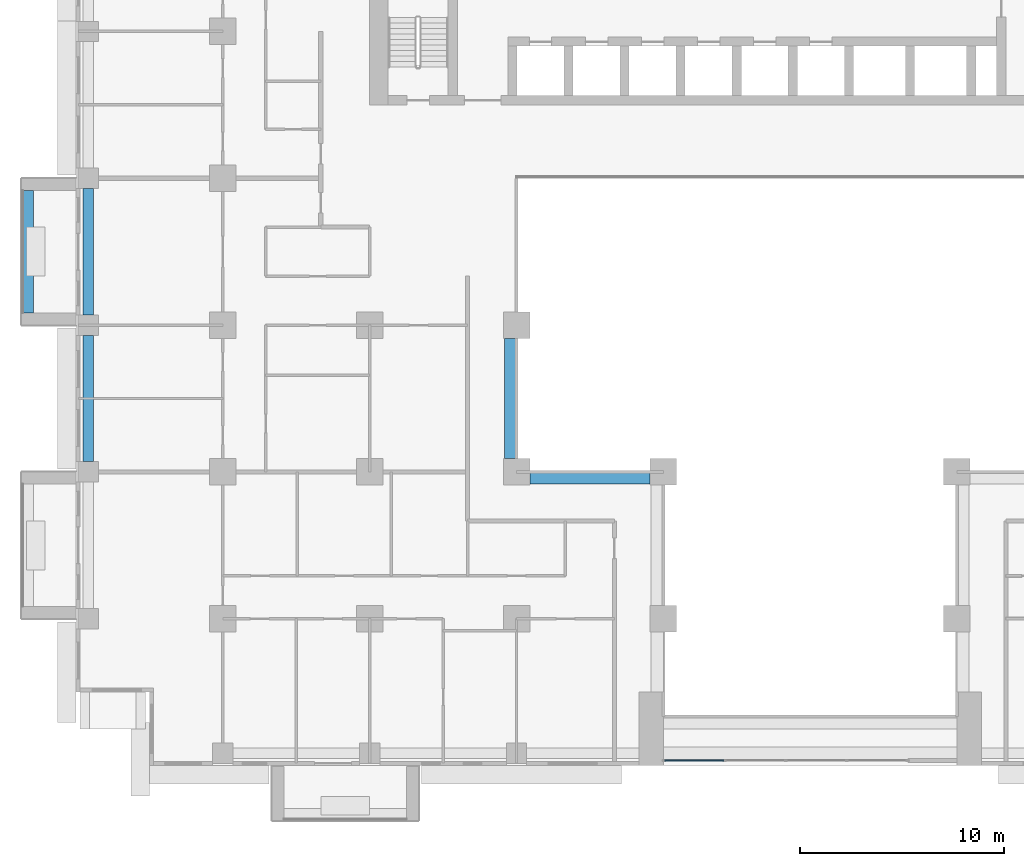
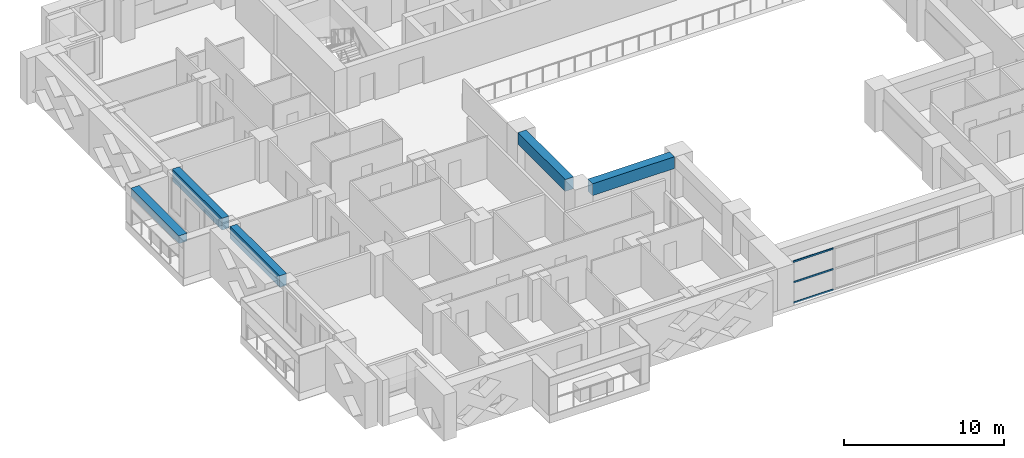
# One storey, part 3 of 16: 5 beams, 3 members, 1 element without a shape of its own.
"""IFC4 building model written with IfcOpenShell, lengths in metres."""

from ifc_helpers import new_model, si_unit, direction, frame, origin, origin_2d, place, context, subcontext, project, spatial, rectangle, extrude, source, transform, mapped, material, layer, layer_set, material_profile, profile_set, type_object, element, aggregate, save


model = new_model("IFC4")

# Units and contexts
model_context = context("Model", 3, precision=1e-05, world=origin(), true_north=direction((0.0, 1.0)))
body_context = subcontext(model_context, "Body", "Model", "MODEL_VIEW")
ifc_project = project(units=[si_unit("LENGTHUNIT", "METRE"), si_unit("AREAUNIT", "SQUARE_METRE"), si_unit("VOLUMEUNIT", "CUBIC_METRE"), si_unit("PLANEANGLEUNIT", "RADIAN"), si_unit("MASSUNIT", "GRAM", prefix="KILO")], contexts=[model_context])

# Site, building, storey
site_placement = place(None, origin())
site = spatial("IfcSite", under=ifc_project, at=site_placement, CompositionType="ELEMENT")
building_placement = place(site_placement, origin())
building = spatial("IfcBuilding", under=site, at=building_placement, Name="Saffron Iwan Residences", CompositionType="ELEMENT")
storey_placement = place(building_placement, frame((0.0, 0.0, 69.0)))
storey = spatial("IfcBuildingStorey", under=building, at=storey_placement, Name="L17", CompositionType="ELEMENT", Elevation=69.0)

# Beams
ifc_material_1 = material(Name="Concrete C60/75", Category="concrete")
ifc_material_profile_1 = material_profile(ifc_material_1, rectangle(XDim=0.5, YDim=0.89990234375, at=origin_2d()), Name="RC 500x900")
ifc_profile_set_1 = profile_set([ifc_material_profile_1], Name="Concrete C60/75")
beam_type_1 = type_object("IfcBeamType", Name="SPANDREL BEAM RC 500x900 C60/75 TOP 3180", PredefinedType="SPANDREL", material=ifc_profile_set_1)
shared_shape_1 = source(origin(), body_context, "Body", "SweptSolid", [
    extrude(rectangle(XDim=0.5, YDim=0.89990234375, at=origin_2d()), origin(), (0.0, 0.0, 1.0), 6.199951171875),
])
for number, where, z_axis, x_axis, name in (
    (1, (15.0, 48.5, 2.72998046875), (0.0, 1.0, 0.0), (-1.0, 0.0, 0.0), "Spandrel beam"),
    (2, (15.0, 55.699951171875, 2.72998046875), (0.0, 1.0, 0.0), (-1.0, 0.0, 0.0), "Spandrel beam"),
):
    element("IfcBeam", number, at=place(storey_placement, frame(where, z_axis=z_axis, x_axis=x_axis)), inside=storey, type_object=beam_type_1, Name=name, PredefinedType="SPANDREL", context=body_context, shape_type="MappedRepresentation", body=[
        mapped(shared_shape_1, transform((0.0, 0.0, 0.0))),
    ])
ifc_material_profile_2 = material_profile(ifc_material_1, rectangle(XDim=0.60009765625, YDim=0.89990234375, at=origin_2d()), Name="RC 600x900")
ifc_profile_set_2 = profile_set([ifc_material_profile_2], Name="Concrete C60/75")
beam_type_2 = type_object("IfcBeamType", Name="BEAM RC 600x900 C60/75 TOP 3180", PredefinedType="BEAM", material=ifc_profile_set_2)
shared_shape_2 = source(origin(), body_context, "Body", "SweptSolid", [
    extrude(rectangle(XDim=0.60009765625, YDim=0.89990234375, at=origin_2d()), origin(), (0.0, 0.0, 1.0), 5.900146484375),
])
for number, where, z_axis, x_axis, name in (
    (3, (42.550048828125, 47.699951171875, 2.72998046875), (-1.0, 0.0, 0.0), (0.0, -1.0, 0.0), "Atrium edge beam"),
    (4, (35.699951171875, 48.64990234375, 2.72998046875), (0.0, 1.0, 0.0), (-1.0, 0.0, 0.0), "Atrium edge beam"),
):
    element("IfcBeam", number, at=place(storey_placement, frame(where, z_axis=z_axis, x_axis=x_axis)), inside=storey, type_object=beam_type_2, Name=name, PredefinedType="BEAM", context=body_context, shape_type="MappedRepresentation", body=[
        mapped(shared_shape_2, transform((0.0, 0.0, 0.0))),
    ])

# Curtain wall, members
ifc_material_2 = material(Name="Clear glass, laminated double glazed", Category="glass")
ifc_layer = layer(ifc_material_2, 0.199951171875)
ifc_layer_set = layer_set([ifc_layer], Name="Clear glass, laminated double glazed")
curtain_wall_type = type_object("IfcCurtainWallType", Name="CW-B IWAN PORTAL", PredefinedType="NOTDEFINED", material=ifc_layer_set)
curtain_wall_placement = place(storey_placement, origin())
curtain_wall = element("IfcCurtainWall", 5, at=curtain_wall_placement, inside=storey, type_object=curtain_wall_type, Name="Iwan portal glazing L17.1", PredefinedType="NOTDEFINED")
ifc_material_3 = material(Name="Aluminium 6063-T6", Category="aluminium")
ifc_material_profile_3 = material_profile(ifc_material_3, rectangle(XDim=0.06005859375, YDim=0.1201171875, at=origin_2d()), Name="CW-B TRANSOM 60 x 120")
ifc_profile_set_3 = profile_set([ifc_material_profile_3], Name="Aluminium 6063-T6")
member_type = type_object("IfcMemberType", Name="CW-B TRANSOM 60 x 120", PredefinedType="USERDEFINED", material=ifc_profile_set_3)
shared_shape_3 = source(origin(), body_context, "Body", "SweptSolid", [
    extrude(rectangle(XDim=0.06005859375, YDim=0.1201171875, at=origin_2d()), origin(), (0.0, 0.0, 1.0), 2.909912109375),
])
member_1_placement = place(storey_placement, frame((43.260009765625, 33.85009765625, 0.030029296875), z_axis=(1.0, 0.0, 0.0), x_axis=(0.0, 1.0, 0.0)))
member_1 = element("IfcMember", 6, at=member_1_placement, type_object=member_type, Name="CW-B transom 1.1", ObjectType="TRANSOM", PredefinedType="USERDEFINED", context=body_context, shape_type="MappedRepresentation", body=[
    mapped(shared_shape_3, transform((0.0, 0.0, 0.0))),
])
member_2_placement = place(storey_placement, frame((43.260009765625, 33.85009765625, 1.590087890625), z_axis=(1.0, 0.0, 0.0), x_axis=(0.0, 1.0, 0.0)))
member_2 = element("IfcMember", 7, at=member_2_placement, type_object=member_type, Name="CW-B transom 1.2", ObjectType="TRANSOM", PredefinedType="USERDEFINED", context=body_context, shape_type="MappedRepresentation", body=[
    mapped(shared_shape_3, transform((0.0, 0.0, 0.0))),
])
member_3_placement = place(storey_placement, frame((43.260009765625, 33.85009765625, 3.14990234375), z_axis=(1.0, 0.0, 0.0), x_axis=(0.0, 1.0, 0.0)))
member_3 = element("IfcMember", 8, at=member_3_placement, type_object=member_type, Name="CW-B transom 1.3", ObjectType="TRANSOM", PredefinedType="USERDEFINED", context=body_context, shape_type="MappedRepresentation", body=[
    mapped(shared_shape_3, transform((0.0, 0.0, 0.0))),
])
aggregate(curtain_wall, [member_1, member_2, member_3])

# Beam
ifc_material_4 = material(Name="Concrete C50/60 white painted", Category="concrete")
ifc_material_profile_4 = material_profile(ifc_material_4, rectangle(XDim=0.60009765625, YDim=0.60009765625, at=origin_2d()), Name="BALCONY FASCIA BEAM 600 x 600")
ifc_profile_set_4 = profile_set([ifc_material_profile_4], Name="Concrete C50/60 white painted")
beam_type_3 = type_object("IfcBeamType", Name="BALCONY FASCIA BEAM 600 x 600", PredefinedType="BEAM", material=ifc_profile_set_4)
shared_shape_4 = source(origin(), body_context, "Body", "SweptSolid", [
    extrude(rectangle(XDim=0.60009765625, YDim=0.60009765625, at=origin_2d()), origin(), (0.0, 0.0, 1.0), 6.0),
])
beam_placement = place(storey_placement, frame((12.0, 61.800048828125, 2.550048828125), z_axis=(0.0, -1.0, 0.0), x_axis=(1.0, 0.0, 0.0)))
element("IfcBeam", 9, at=beam_placement, inside=storey, type_object=beam_type_3, Name="Balcony fascia beam L17 F8-0", PredefinedType="BEAM", context=body_context, shape_type="MappedRepresentation", body=[
    mapped(shared_shape_4, transform((0.0, 0.0, 0.0))),
])

save(model, "model.ifc")
